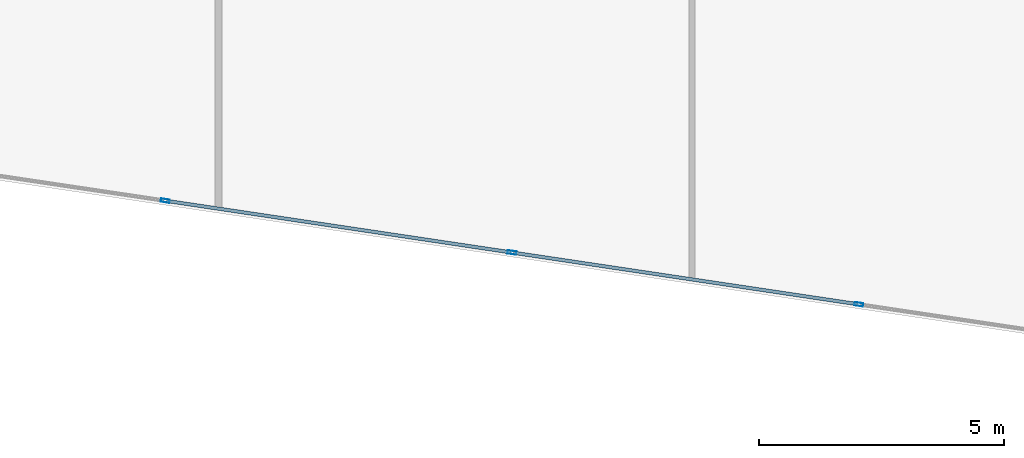
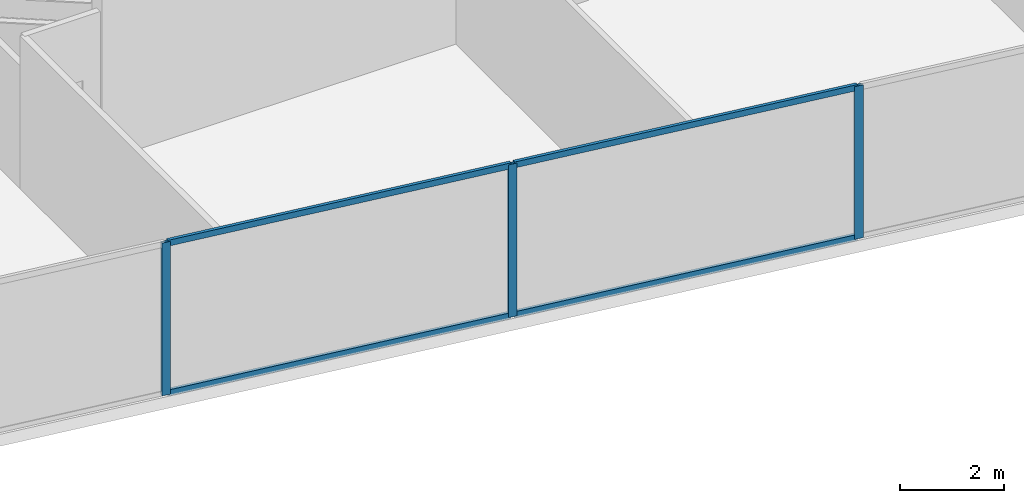
# One storey, part 4 of 29: 7 members, 1 element without a shape of its own.
"""IFC4 building model written with IfcOpenShell, lengths in metres."""

from ifc_helpers import new_model, si_unit, direction, frame, origin, origin_2d, place, context, subcontext, project, spatial, hollow_rectangle, extrude, source, transform, mapped, material, material_profile, profile_set, type_object, type_shapes, element, aggregate, save


model = new_model("IFC4")

# Units and contexts
model_context = context("Model", 3, precision=1e-05, world=origin(), true_north=direction((0.0, 1.0)))
body_context = subcontext(model_context, "Body", "Model", "MODEL_VIEW")
ifc_project = project(units=[si_unit("LENGTHUNIT", "METRE"), si_unit("AREAUNIT", "SQUARE_METRE"), si_unit("VOLUMEUNIT", "CUBIC_METRE"), si_unit("PLANEANGLEUNIT", "RADIAN"), si_unit("MASSUNIT", "GRAM", prefix="KILO")], contexts=[model_context])

# Site, building, storey
site_placement = place(None, origin())
site = spatial("IfcSite", under=ifc_project, at=site_placement, CompositionType="ELEMENT")
building_placement = place(site_placement, origin())
building = spatial("IfcBuilding", under=site, at=building_placement, Name="Krantzveldt Concourse Tower", CompositionType="ELEMENT")
storey_placement = place(building_placement, frame((0.0, 0.0, 76.35009765625)))
storey = spatial("IfcBuildingStorey", under=building, at=storey_placement, Name="L18", CompositionType="ELEMENT", Elevation=76.35009765625)

# Curtain wall, members
ifc_material = material(Name="Anodised aluminium 6063-T6", Category="aluminium")
curtain_wall_type = type_object("IfcCurtainWallType", Name="CW2", PredefinedType="USERDEFINED", material=ifc_material)
curtain_wall_placement = place(storey_placement, origin())
curtain_wall = element("IfcCurtainWall", 1, at=curtain_wall_placement, inside=storey, type_object=curtain_wall_type, Name="CW-L18-F04", ObjectType="UNITISED CURTAIN WALL", PredefinedType="USERDEFINED")
ifc_material_profile_1 = material_profile(ifc_material, hollow_rectangle(XDim=0.070068359375, YDim=0.139892578125, WallThickness=0.0048828125, at=origin_2d()), Name="Anodised aluminium 6063-T6", Category="aluminium")
ifc_profile_set_1 = profile_set([ifc_material_profile_1], Name="Anodised aluminium 6063-T6 - ALU-TRAN 140x70x5")
member_type_1 = type_object("IfcMemberType", Name="CW-TRN-150", PredefinedType="USERDEFINED", material=ifc_profile_set_1)
shared_shape_1 = source(origin(), body_context, "Body", "SweptSolid", [
    extrude(hollow_rectangle(XDim=0.070068359375, YDim=0.139892578125, WallThickness=0.0048828125, at=origin_2d()), origin(), (0.0, 0.0, 1.0), 7.0966796875),
])
member_1_placement = place(storey_placement, frame((25.2646484375, 3.11767578125, 0.034912109375), z_axis=(0.989018713841, -0.14779033687, 0.0), x_axis=(0.14779033687, 0.989018713841, 0.0)))
member_1 = element("IfcMember", 2, at=member_1_placement, type_object=member_type_1, Name="CW-Z12 transom 3.1", ObjectType="TRANSOM", PredefinedType="USERDEFINED", context=body_context, shape_type="MappedRepresentation", body=[
    mapped(shared_shape_1, transform((0.0, 0.0, 0.0), x_axis=(1.0, 0.0, 0.0), y_axis=(0.0, 1.0, 0.0), z_axis=(0.0, 0.0, 1.0), scale=1.0)),
])
member_2_placement = place(storey_placement, frame((25.2646484375, 3.11767578125, 3.554931640625), z_axis=(0.989018713841, -0.14779033687, 0.0), x_axis=(0.14779033687, 0.989018713841, 0.0)))
member_2 = element("IfcMember", 3, at=member_2_placement, type_object=member_type_1, Name="CW-Z12 transom 3.2", ObjectType="TRANSOM", PredefinedType="USERDEFINED", context=body_context, shape_type="MappedRepresentation", body=[
    mapped(shared_shape_1, transform((0.0, 0.0, 0.0), x_axis=(1.0, 0.0, 0.0), y_axis=(0.0, 1.0, 0.0), z_axis=(0.0, 0.0, 1.0), scale=1.0)),
])
shared_shape_2 = source(origin(), body_context, "Body", "SweptSolid", [
    extrude(hollow_rectangle(XDim=0.070068359375, YDim=0.139892578125, WallThickness=0.0048828125, at=origin_2d()), origin(), (0.0, 0.0, 1.0), 7.096435546875),
])
type_shapes(member_type_1, [shared_shape_1, shared_shape_2])
member_3_placement = place(storey_placement, frame((32.352783203125, 2.058349609375, 0.034912109375), z_axis=(0.989017962398, -0.147795365468, 0.0), x_axis=(0.147795365468, 0.989017962398, 0.0)))
member_3 = element("IfcMember", 4, at=member_3_placement, type_object=member_type_1, Name="CW-Z12 transom 4.1", ObjectType="TRANSOM", PredefinedType="USERDEFINED", context=body_context, shape_type="MappedRepresentation", body=[
    mapped(shared_shape_2, transform((0.0, 0.0, 0.0), x_axis=(1.0, 0.0, 0.0), y_axis=(0.0, 1.0, 0.0), z_axis=(0.0, 0.0, 1.0), scale=1.0)),
])
member_4_placement = place(storey_placement, frame((32.352783203125, 2.058349609375, 3.554931640625), z_axis=(0.989017962398, -0.147795365468, 0.0), x_axis=(0.147795365468, 0.989017962398, 0.0)))
member_4 = element("IfcMember", 5, at=member_4_placement, type_object=member_type_1, Name="CW-Z12 transom 4.2", ObjectType="TRANSOM", PredefinedType="USERDEFINED", context=body_context, shape_type="MappedRepresentation", body=[
    mapped(shared_shape_2, transform((0.0, 0.0, 0.0), x_axis=(1.0, 0.0, 0.0), y_axis=(0.0, 1.0, 0.0), z_axis=(0.0, 0.0, 1.0), scale=1.0)),
])
ifc_material_profile_2 = material_profile(ifc_material, hollow_rectangle(XDim=0.070068359375, YDim=0.179931640625, WallThickness=0.0048828125, at=origin_2d()), Name="Anodised aluminium 6063-T6", Category="aluminium")
ifc_profile_set_2 = profile_set([ifc_material_profile_2], Name="Anodised aluminium 6063-T6 - ALU-MULL 180x70x5")
member_type_2 = type_object("IfcMemberType", Name="CW-MUL-180", PredefinedType="MULLION", material=ifc_profile_set_2)
shared_shape_3 = source(origin(), body_context, "Body", "SweptSolid", [
    extrude(hollow_rectangle(XDim=0.070068359375, YDim=0.179931640625, WallThickness=0.0048828125, at=origin_2d()), origin(), (0.0, 0.0, 1.0), 3.58984375),
])
type_shapes(member_type_2, [shared_shape_3])
member_5_placement = place(storey_placement, frame((25.230224609375, 3.122802734375, 0.0), z_axis=(0.0, 0.0, 1.0), x_axis=(0.147809505412, 0.989015849271, 0.0)))
member_5 = element("IfcMember", 6, at=member_5_placement, type_object=member_type_2, Name="CW-Z12 mullion 3", PredefinedType="MULLION", context=body_context, shape_type="MappedRepresentation", body=[
    mapped(shared_shape_3, transform((0.0, 0.0, 0.0), x_axis=(1.0, 0.0, 0.0), y_axis=(0.0, 1.0, 0.0), z_axis=(0.0, 0.0, 1.0), scale=1.0)),
])
member_6_placement = place(storey_placement, frame((32.318115234375, 2.063720703125, 0.0), z_axis=(0.0, 0.0, 1.0), x_axis=(0.147809505412, 0.989015849271, 0.0)))
member_6 = element("IfcMember", 7, at=member_6_placement, type_object=member_type_2, Name="CW-Z12 mullion 4", PredefinedType="MULLION", context=body_context, shape_type="MappedRepresentation", body=[
    mapped(shared_shape_3, transform((0.0, 0.0, 0.0), x_axis=(1.0, 0.0, 0.0), y_axis=(0.0, 1.0, 0.0), z_axis=(0.0, 0.0, 1.0), scale=1.0)),
])
member_7_placement = place(storey_placement, frame((39.406005859375, 1.00439453125, 0.0), z_axis=(0.0, 0.0, 1.0), x_axis=(0.147809505412, 0.989015849271, 0.0)))
member_7 = element("IfcMember", 8, at=member_7_placement, type_object=member_type_2, Name="CW-Z12 mullion 5", PredefinedType="MULLION", context=body_context, shape_type="MappedRepresentation", body=[
    mapped(shared_shape_3, transform((0.0, 0.0, 0.0), x_axis=(1.0, 0.0, 0.0), y_axis=(0.0, 1.0, 0.0), z_axis=(0.0, 0.0, 1.0), scale=1.0)),
])
aggregate(curtain_wall, [member_5, member_6, member_7, member_1, member_2, member_3, member_4])

save(model, "model.ifc")
